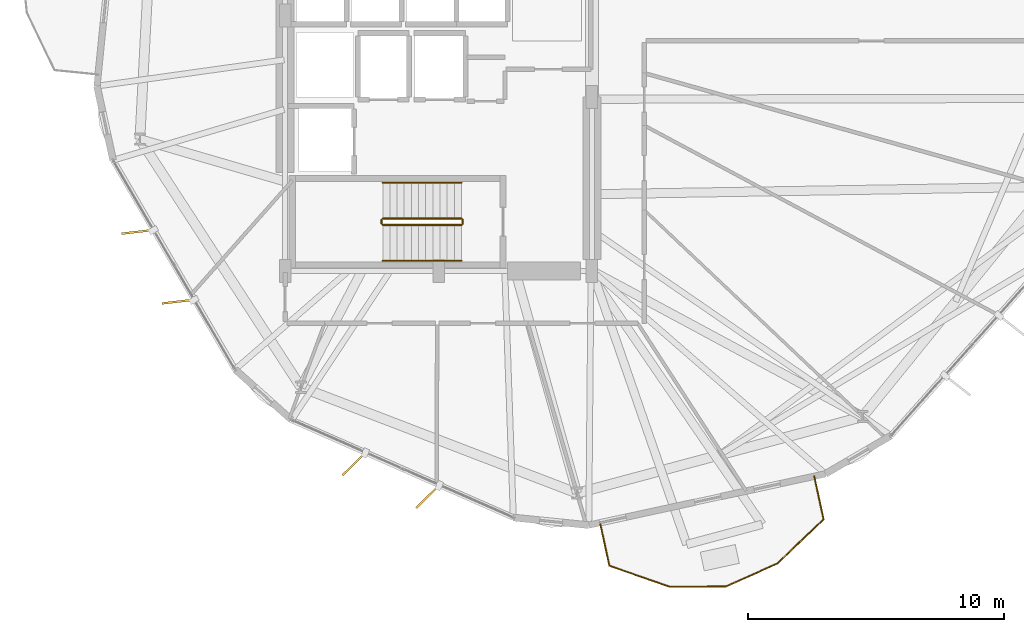
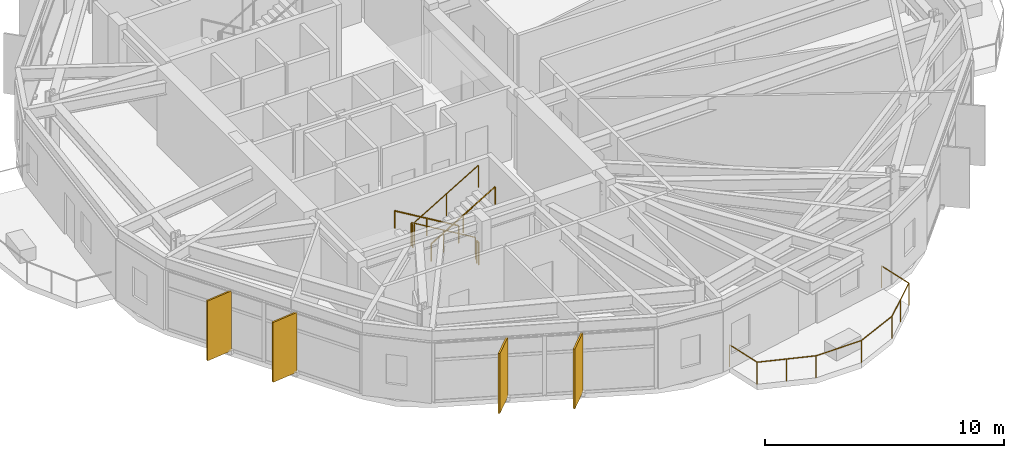
# One storey, part 20 of 22: 7 railings, 4 shading devices.
"""IFC4 building model written with IfcOpenShell, lengths in metres."""

import ifcopenshell
import ifcopenshell.guid

model = None  # the IFC model being written
_history = None  # IfcOwnerHistory: only IFC2X3 demands one
_inside = {}  # id of a spatial element -> (the spatial element, [elements in it])
_under = {}  # id of a project, library or spatial element -> (it, [spatial elements below it])
_declared = {}  # id of a project -> (the project, [libraries it declares])
_typed = {}  # id of a type object -> (the type object, [elements of that type])
_made_of = {}  # id of a material, layer set ... -> (it, [elements and type objects made of it])


def new_model(schema):
    """Start an empty IFC model of exactly this schema.

    Asked for "IFC4X3", IfcOpenShell would pick the latest addendum, in which some entities
    have other attributes; the version numbers below select the first issue.
    IFC2X3 requires an IfcOwnerHistory on every rooted entity: one is made here for all.
    """
    global model, _history
    if schema == "IFC4X3":
        model = ifcopenshell.file(schema_version=(4, 3, 0, 0))
    else:
        model = ifcopenshell.file(schema=schema)
    _inside.clear()
    _under.clear()
    _declared.clear()
    _typed.clear()
    _made_of.clear()
    _history = None
    if model.schema == "IFC2X3":
        org = make("IfcOrganization", Name="unknown")
        user = make(
            "IfcPersonAndOrganization",
            ThePerson=make("IfcPerson", FamilyName="unknown"),
            TheOrganization=org,
        )
        app = make(
            "IfcApplication",
            ApplicationDeveloper=org,
            Version="unknown",
            ApplicationFullName="unknown",
            ApplicationIdentifier="unknown",
        )
        _history = make(
            "IfcOwnerHistory",
            OwningUser=user,
            OwningApplication=app,
            ChangeAction="ADDED",
            CreationDate=0,
        )
    return model


def make(cls, **values):
    """One entity of the class cls with the attributes given. An attribute that is None is left unset."""
    return model.create_entity(
        cls, **{name: value for name, value in values.items() if value is not None}
    )


def rooted(cls, **values):
    """An entity with a GlobalId (a new one), such as an element, a storey or a relation."""
    return make(cls, GlobalId=ifcopenshell.guid.new(), OwnerHistory=_history, **values)


def si_unit(unit_type, name, prefix=None):
    """IfcSIUnit, for example si_unit("LENGTHUNIT", "METRE", prefix="MILLI")."""
    return make("IfcSIUnit", UnitType=unit_type, Prefix=prefix, Name=name)


def assignment(units):
    """IfcUnitAssignment: the units of a project."""
    return None if units is None else make("IfcUnitAssignment", Units=units)


def point(xyz):
    """IfcCartesianPoint."""
    return None if xyz is None else make("IfcCartesianPoint", Coordinates=xyz)


def direction(xyz):
    """IfcDirection."""
    return None if xyz is None else make("IfcDirection", DirectionRatios=xyz)


def frame(location, z_axis=None, x_axis=None):
    """IfcAxis2Placement3D, a coordinate frame: its origin and axes. An axis left out is left unset."""
    return make(
        "IfcAxis2Placement3D",
        Location=point(location),
        Axis=direction(z_axis),
        RefDirection=direction(x_axis),
    )


def frame_2d(location, x_axis=None):
    """IfcAxis2Placement2D, a coordinate frame in the plane: its origin and x axis."""
    return make(
        "IfcAxis2Placement2D", Location=point(location), RefDirection=direction(x_axis)
    )


def origin():
    """The frame at (0, 0, 0) with its axes left unset."""
    return frame((0.0, 0.0, 0.0))


def origin_2d():
    """The frame at (0, 0) in the plane with its x axis left unset."""
    return frame_2d((0.0, 0.0))


def place(relative_to, where):
    """IfcLocalPlacement: puts the frame where relative to a parent placement (None: the world)."""
    return make(
        "IfcLocalPlacement", PlacementRelTo=relative_to, RelativePlacement=where
    )


def context(
    kind, dimensions, precision=None, world=None, true_north=None, identifier=None
):
    """IfcGeometricRepresentationContext, for example the 3D "Model" context."""
    return make(
        "IfcGeometricRepresentationContext",
        ContextIdentifier=identifier,
        ContextType=kind,
        CoordinateSpaceDimension=dimensions,
        Precision=precision,
        WorldCoordinateSystem=world,
        TrueNorth=true_north,
    )


def subcontext(parent, identifier, kind, view, scale=None):
    """IfcGeometricRepresentationSubContext, for example "Body" below "Model"."""
    return make(
        "IfcGeometricRepresentationSubContext",
        ContextIdentifier=identifier,
        ContextType=kind,
        ParentContext=parent,
        TargetScale=scale,
        TargetView=view,
    )


def project(units=None, contexts=None):
    """IfcProject with its units and contexts."""
    return rooted(
        "IfcProject",
        Name="project",
        RepresentationContexts=contexts,
        UnitsInContext=assignment(units),
    )


def spatial(cls, under=None, at=None, **own):
    """A site, building, storey or space (cls), placed at a placement, below another one or the project."""
    s = rooted(cls, ObjectPlacement=at, **own)
    if under is not None:
        _under.setdefault(under.id(), (under, []))[1].append(s)
    return s


def profile(cls, at=None, kind="AREA", **sizes):
    """A parametric profile (cls). Its sizes go by their IFC names, for example OverallWidth=200.0."""
    return make(cls, ProfileType=kind, Position=at, **sizes)


def rectangle(**sizes):
    """IfcRectangleProfileDef."""
    return profile("IfcRectangleProfileDef", **sizes)


def circle(**sizes):
    """IfcCircleProfileDef."""
    return profile("IfcCircleProfileDef", **sizes)


def extrude(swept, where, along, depth):
    """IfcExtrudedAreaSolid: the profile swept, set in the frame where, extruded along a direction by depth."""
    return make(
        "IfcExtrudedAreaSolid",
        SweptArea=swept,
        Position=where,
        ExtrudedDirection=direction(along),
        Depth=depth,
    )


def shape(context_of_items, identifier, shape_type, items):
    """IfcShapeRepresentation: the items that make up one representation, for example the "Body"."""
    return make(
        "IfcShapeRepresentation",
        ContextOfItems=context_of_items,
        RepresentationIdentifier=identifier,
        RepresentationType=shape_type,
        Items=items,
    )


def material(Name=None, Category=None):
    """IfcMaterial."""
    return make("IfcMaterial", Name=Name, Category=Category)


def layer(
    of_material, thickness, ventilated=None, Name=None, Category=None, Priority=None
):
    """IfcMaterialLayer: one layer of a wall or slab, of a material (None: an air gap)."""
    return make(
        "IfcMaterialLayer",
        Material=of_material,
        LayerThickness=thickness,
        IsVentilated=ventilated,
        Name=Name,
        Category=Category,
        Priority=Priority,
    )


def layer_set(layers, Name=None):
    """IfcMaterialLayerSet."""
    return make("IfcMaterialLayerSet", MaterialLayers=layers, LayerSetName=Name)


def made_of(thing, what):
    """Note that an element or type object is made of a material, layer set ...; save() writes the relation."""
    if what is not None:
        _made_of.setdefault(what.id(), (what, []))[1].append(thing)
    return thing


def type_object(cls, material=None, **own):
    """A type object (cls), such as IfcWallType, which elements share."""
    return made_of(rooted(cls, **own), material)


def element(
    cls,
    number,
    at=None,
    inside=None,
    cuts=None,
    type_object=None,
    material=None,
    context=None,
    identifier="Body",
    shape_type=None,
    held_by="IfcProductDefinitionShape",
    body=None,
    shapes=None,
    **own,
):
    """One element of the class cls, such as IfcWall. Its Tag is "e" and its number.

    at: its placement. inside: the storey or other place that contains it. cuts: it is an
    opening in that element (IfcRelVoidsElement). A single representation is given by context,
    identifier, shape_type and body (its items); several are given by shapes. held_by: the class
    of the entity that holds the representations. save() writes the other relations.
    """
    e = rooted(cls, Tag="e%d" % number, ObjectPlacement=at, **own)
    if body is not None:
        shapes = [shape(context, identifier, shape_type, body)]
    if shapes is not None:
        e.Representation = make(held_by, Representations=shapes)
    if inside is not None:
        _inside.setdefault(inside.id(), (inside, []))[1].append(e)
    if cuts is not None:
        rooted(
            "IfcRelVoidsElement", RelatingBuildingElement=cuts, RelatedOpeningElement=e
        )
    if type_object is not None:
        _typed.setdefault(type_object.id(), (type_object, []))[1].append(e)
    return made_of(e, material)


def aggregate(whole, parts):
    """IfcRelAggregates: a whole, such as a stair, and the parts it consists of."""
    return rooted("IfcRelAggregates", RelatingObject=whole, RelatedObjects=parts)


def save(model, path):
    """Write the relations noted so far, then the file.

    IfcRelAggregates (storeys below a building ...), IfcRelContainedInSpatialStructure (elements
    in a storey), IfcRelDefinesByType, IfcRelAssociatesMaterial and IfcRelDeclares: one each for
    every whole, place, type object, material and project.
    """
    for whole, parts in _under.values():
        aggregate(whole, parts)
    for where, things in _inside.values():
        rooted(
            "IfcRelContainedInSpatialStructure",
            RelatedElements=things,
            RelatingStructure=where,
        )
    for kind, things in _typed.values():
        rooted("IfcRelDefinesByType", RelatedObjects=things, RelatingType=kind)
    for what, things in _made_of.values():
        rooted("IfcRelAssociatesMaterial", RelatedObjects=things, RelatingMaterial=what)
    for by, libraries in _declared.values():
        rooted("IfcRelDeclares", RelatingContext=by, RelatedDefinitions=libraries)
    model.write(path)


model = new_model("IFC4")

# Units and contexts
model_context = context("Model", 3, precision=1e-05, world=origin(), true_north=direction((0.0, 1.0)))
body_context = subcontext(model_context, "Body", "Model", "MODEL_VIEW")
ifc_project = project(units=[si_unit("LENGTHUNIT", "METRE"), si_unit("AREAUNIT", "SQUARE_METRE"), si_unit("VOLUMEUNIT", "CUBIC_METRE"), si_unit("PLANEANGLEUNIT", "RADIAN"), si_unit("MASSUNIT", "GRAM", prefix="KILO")], contexts=[model_context])

# Site, building, storey
site_placement = place(None, origin())
site = spatial("IfcSite", under=ifc_project, at=site_placement, CompositionType="ELEMENT")
building_placement = place(site_placement, origin())
building = spatial("IfcBuilding", under=site, at=building_placement, Name="Soratama Intermodal Tower", CompositionType="ELEMENT")
storey_placement = place(building_placement, frame((0.0, 0.0, 74.60009765625)))
storey = spatial("IfcBuildingStorey", under=building, at=storey_placement, Name="L17", CompositionType="ELEMENT", Elevation=74.60009765625)

# Railings
ifc_material_1 = material(Name="Laminated glass and stainless steel balustrade", Category="steel")
railing_type_1 = type_object("IfcRailingType", Name="RL-BAL-1150", PredefinedType="BALUSTRADE", material=ifc_material_1)
railing_1_placement = place(storey_placement, frame((53.30029296875, 6.96630859375, 0.0)))
element("IfcRailing", 1, at=railing_1_placement, inside=storey, type_object=railing_type_1, Name="L17 Balcony Balustrade 3", PredefinedType="BALUSTRADE", context=body_context, shape_type="SweptSolid", body=[
    extrude(circle(Radius=0.02392578125, at=origin_2d()), frame((0.0, 0.0, 1.1259765625), z_axis=(0.212058381562, -0.977256999366, 0.0), x_axis=(0.977256999366, 0.212058381562, 0.0)), (0.0, 0.0, 1.0), 1.719970703125),
    extrude(circle(Radius=0.02392578125, at=origin_2d()), frame((0.36474609375, -1.680908203125, 1.1259765625), z_axis=(-0.723190126778, -0.690648999515, 0.0), x_axis=(0.690648999515, -0.723190126778, 0.0)), (0.0, 0.0, 1.0), 2.513427734375),
    extrude(circle(Radius=0.02392578125, at=origin_2d()), frame((-1.452880859375, -3.416748046875, 1.1259765625), z_axis=(-0.913079349657, -0.407781928524, 0.0), x_axis=(0.407781928524, -0.913079349657, 0.0)), (0.0, 0.0, 1.0), 2.190673828125),
    extrude(circle(Radius=0.02392578125, at=origin_2d()), frame((-3.453125, -4.31005859375, 1.1259765625), z_axis=(-0.999973763597, -0.007243764029, 0.0), x_axis=(0.007243764029, -0.999973763597, 0.0)), (0.0, 0.0, 1.0), 2.190673828125),
    extrude(circle(Radius=0.02392578125, at=origin_2d()), frame((-5.643798828125, -4.325927734375, 1.1259765625), z_axis=(-0.944352543638, 0.328935059434, 0.0), x_axis=(-0.328935059434, -0.944352543638, 0.0)), (0.0, 0.0, 1.0), 2.51318359375),
    extrude(circle(Radius=0.02392578125, at=origin_2d()), frame((-8.01708984375, -3.499267578125, 1.1259765625), z_axis=(-0.212058381562, 0.977256999366, 0.0), x_axis=(-0.977256999366, -0.212058381562, 0.0)), (0.0, 0.0, 1.0), 1.719970703125),
    extrude(circle(Radius=0.02099609375, at=origin_2d()), origin(), (0.0, 0.0, 1.0), 1.101806640625),
    extrude(circle(Radius=0.02099609375, at=origin_2d()), frame((0.36474609375, -1.680908203125, 0.0)), (0.0, 0.0, 1.0), 1.101806640625),
    extrude(circle(Radius=0.02099609375, at=origin_2d()), frame((-0.5439453125, -2.548828125, 0.0)), (0.0, 0.0, 1.0), 1.101806640625),
    extrude(circle(Radius=0.02099609375, at=origin_2d()), frame((-1.452880859375, -3.416748046875, 0.0)), (0.0, 0.0, 1.0), 1.101806640625),
    extrude(circle(Radius=0.02099609375, at=origin_2d()), frame((-3.453125, -4.31005859375, 0.0)), (0.0, 0.0, 1.0), 1.101806640625),
    extrude(circle(Radius=0.02099609375, at=origin_2d()), frame((-5.643798828125, -4.325927734375, 0.0)), (0.0, 0.0, 1.0), 1.101806640625),
    extrude(circle(Radius=0.02099609375, at=origin_2d()), frame((-6.83056640625, -3.91259765625, 0.0)), (0.0, 0.0, 1.0), 1.101806640625),
    extrude(circle(Radius=0.02099609375, at=origin_2d()), frame((-8.01708984375, -3.499267578125, 0.0)), (0.0, 0.0, 1.0), 1.101806640625),
    extrude(circle(Radius=0.02099609375, at=origin_2d()), frame((-8.3818359375, -1.818359375, 0.0)), (0.0, 0.0, 1.0), 1.101806640625),
])
ifc_material_2 = material(Name="Painted steel stair guardrail", Category="steel")
railing_type_2 = type_object("IfcRailingType", Name="RL-STAIR-GUARD", PredefinedType="GUARDRAIL", material=ifc_material_2)
railing_2_placement = place(storey_placement, frame((39.5, 17.050048828125, 0.16650390625)))
element("IfcRailing", 2, at=railing_2_placement, inside=storey, type_object=railing_type_2, Name="L17 ST-1 stair guard 1", PredefinedType="GUARDRAIL", context=body_context, shape_type="SweptSolid", body=[
    extrude(circle(Radius=0.02392578125, at=origin_2d()), frame((0.0, 0.0, 1.1259765625), z_axis=(-0.85927862911, 0.0, 0.511507807912), x_axis=(0.0, -1.0, 0.0)), (0.0, 0.0, 1.0), 3.58447265625),
    extrude(circle(Radius=0.02099609375, at=origin_2d()), origin(), (0.0, 0.0, 1.0), 1.101806640625),
    extrude(circle(Radius=0.02099609375, at=origin_2d()), frame((-1.5400390625, 0.0, 0.916748046875)), (0.0, 0.0, 1.0), 1.101806640625),
    extrude(circle(Radius=0.02099609375, at=origin_2d()), frame((-3.080078125, 0.0, 1.83349609375)), (0.0, 0.0, 1.0), 1.101806640625),
])
railing_3_placement = place(storey_placement, frame((36.3701171875, 17.0, 2.0)))
element("IfcRailing", 3, at=railing_3_placement, inside=storey, type_object=railing_type_2, Name="L17 ST-1 stair guard 2", PredefinedType="GUARDRAIL", context=body_context, shape_type="SweptSolid", body=[
    extrude(circle(Radius=0.02392578125, at=origin_2d()), frame((0.0, 0.0, 1.1259765625), z_axis=(0.0, -1.0, 0.0), x_axis=(1.0, 0.0, 0.0)), (0.0, 0.0, 1.0), 0.14990234375),
    extrude(circle(Radius=0.02099609375, at=origin_2d()), origin(), (0.0, 0.0, 1.0), 1.101806640625),
    extrude(circle(Radius=0.02099609375, at=origin_2d()), frame((0.0, -0.14990234375, 0.0)), (0.0, 0.0, 1.0), 1.101806640625),
])
railing_4_placement = place(storey_placement, frame((36.419921875, 16.800048828125, 2.16650390625)))
element("IfcRailing", 4, at=railing_4_placement, inside=storey, type_object=railing_type_2, Name="L17 ST-1 stair guard 3", PredefinedType="GUARDRAIL", context=body_context, shape_type="SweptSolid", body=[
    extrude(circle(Radius=0.02392578125, at=origin_2d()), frame((0.0, 0.0, 1.1259765625), z_axis=(0.85927862911, 0.0, 0.511507807912), x_axis=(0.0, 1.0, 0.0)), (0.0, 0.0, 1.0), 3.58447265625),
    extrude(circle(Radius=0.02099609375, at=origin_2d()), origin(), (0.0, 0.0, 1.0), 1.101806640625),
    extrude(circle(Radius=0.02099609375, at=origin_2d()), frame((1.5400390625, 0.0, 0.916748046875)), (0.0, 0.0, 1.0), 1.101806640625),
    extrude(circle(Radius=0.02099609375, at=origin_2d()), frame((3.080078125, 0.0, 1.83349609375)), (0.0, 0.0, 1.0), 1.101806640625),
])
railing_5_placement = place(storey_placement, frame((39.550048828125, 17.0, 0.0)))
element("IfcRailing", 5, at=railing_5_placement, inside=storey, type_object=railing_type_2, Name="L17 ST-1 stair guard 4", PredefinedType="GUARDRAIL", context=body_context, shape_type="SweptSolid", body=[
    extrude(circle(Radius=0.02392578125, at=origin_2d()), frame((0.0, 0.0, 1.1259765625), z_axis=(0.0, -1.0, 0.0), x_axis=(1.0, 0.0, 0.0)), (0.0, 0.0, 1.0), 0.14990234375),
    extrude(circle(Radius=0.02099609375, at=origin_2d()), origin(), (0.0, 0.0, 1.0), 1.101806640625),
    extrude(circle(Radius=0.02099609375, at=origin_2d()), frame((0.0, -0.14990234375, 0.0)), (0.0, 0.0, 1.0), 1.101806640625),
])
ifc_material_3 = material(Name="Brushed stainless steel handrail", Category="steel")
railing_type_3 = type_object("IfcRailingType", Name="RL-STAIR-HAND", PredefinedType="HANDRAIL", material=ifc_material_3)
railing_6_placement = place(storey_placement, frame((39.5, 18.449951171875, 0.16650390625)))
element("IfcRailing", 6, at=railing_6_placement, inside=storey, type_object=railing_type_3, Name="L17 ST-1 stair handrail 1", PredefinedType="HANDRAIL", context=body_context, shape_type="SweptSolid", body=[
    extrude(circle(Radius=0.02392578125, at=origin_2d()), frame((0.0, 0.0, 0.8759765625), z_axis=(-0.85927862911, 0.0, 0.511507807912), x_axis=(0.0, -1.0, 0.0)), (0.0, 0.0, 1.0), 3.58447265625),
    extrude(circle(Radius=0.02099609375, at=origin_2d()), origin(), (0.0, 0.0, 1.0), 0.851806640625),
    extrude(circle(Radius=0.02099609375, at=origin_2d()), frame((-1.5400390625, 0.0, 0.916748046875)), (0.0, 0.0, 1.0), 0.851806640625),
    extrude(circle(Radius=0.02099609375, at=origin_2d()), frame((-3.080078125, 0.0, 1.83349609375)), (0.0, 0.0, 1.0), 0.851806640625),
])
railing_7_placement = place(storey_placement, frame((36.419921875, 15.39990234375, 2.16650390625)))
element("IfcRailing", 7, at=railing_7_placement, inside=storey, type_object=railing_type_3, Name="L17 ST-1 stair handrail 2", PredefinedType="HANDRAIL", context=body_context, shape_type="SweptSolid", body=[
    extrude(circle(Radius=0.02392578125, at=origin_2d()), frame((0.0, 0.0, 0.8759765625), z_axis=(0.85927862911, 0.0, 0.511507807912), x_axis=(0.0, 1.0, 0.0)), (0.0, 0.0, 1.0), 3.58447265625),
    extrude(circle(Radius=0.02099609375, at=origin_2d()), origin(), (0.0, 0.0, 1.0), 0.851806640625),
    extrude(circle(Radius=0.02099609375, at=origin_2d()), frame((1.5400390625, 0.0, 0.916748046875)), (0.0, 0.0, 1.0), 0.851806640625),
    extrude(circle(Radius=0.02099609375, at=origin_2d()), frame((3.080078125, 0.0, 1.83349609375)), (0.0, 0.0, 1.0), 0.851806640625),
])

# Shading devices
ifc_material_4 = material(Name="Champagne anodised aluminium solar fin", Category="aluminium")
ifc_layer = layer(ifc_material_4, 0.080078125)
ifc_layer_set = layer_set([ifc_layer], Name="Champagne anodised aluminium solar fin")
shading_device_type = type_object("IfcShadingDeviceType", Name="SH-FIN-1250", PredefinedType="USERDEFINED", material=ifc_layer_set)
for number, where, z_axis, x_axis, name in (
    (8, (26.81787109375, 16.529052734375, 0.019775390625), (0.0, 0.0, 1.0), (-0.993492582803, -0.113896830134, 0.0), "L17 Solar Fin F06-1"),
    (9, (28.40869140625, 13.800048828125, 0.019775390625), (0.0, 0.0, 1.0), (-0.993492582803, -0.113896830134, 0.0), "L17 Solar Fin F06-2"),
    (10, (35.287353515625, 7.44091796875, 0.019775390625), (0.0, 0.0, 1.0), (-0.708832456387, -0.705376884207, 0.0), "L17 Solar Fin F07-1"),
    (11, (38.1787109375, 6.16796875, 0.019775390625), (0.0, 0.0, 1.0), (-0.708832456387, -0.705376884207, 0.0), "L17 Solar Fin F07-2"),
):
    element("IfcShadingDevice", number, at=place(storey_placement, frame(where, z_axis=z_axis, x_axis=x_axis)), inside=storey, type_object=shading_device_type, Name=name, ObjectType="FIN", PredefinedType="USERDEFINED", context=body_context, shape_type="SweptSolid", body=[
        extrude(rectangle(XDim=1.25, YDim=0.080078125, at=origin_2d()), origin(), (0.0, 0.0, 1.0), 3.05908203125),
    ])

save(model, "model.ifc")
